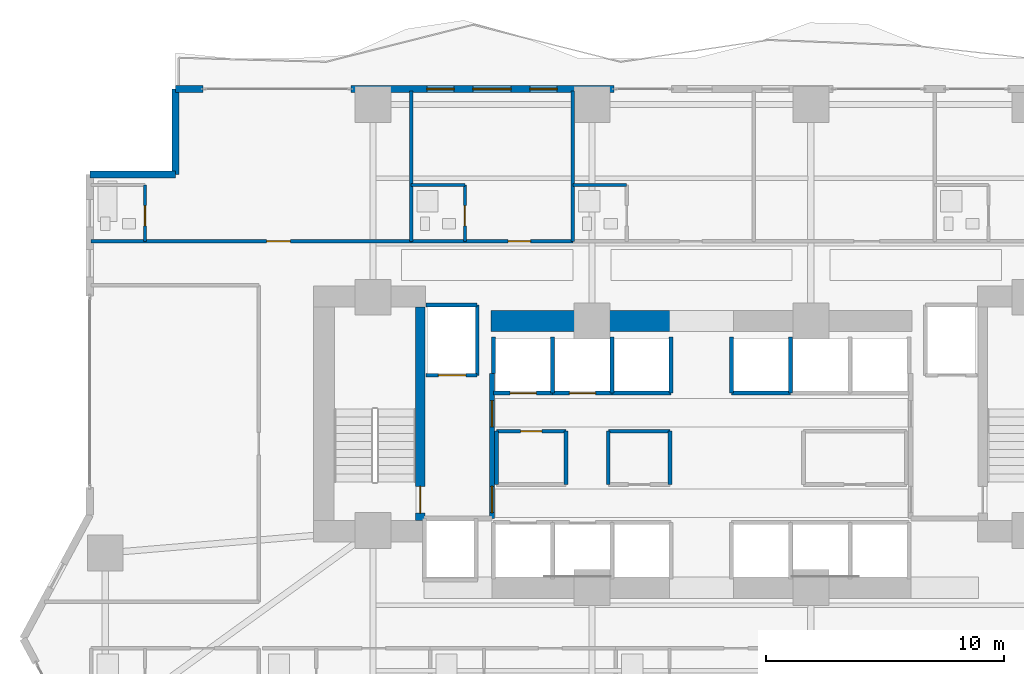
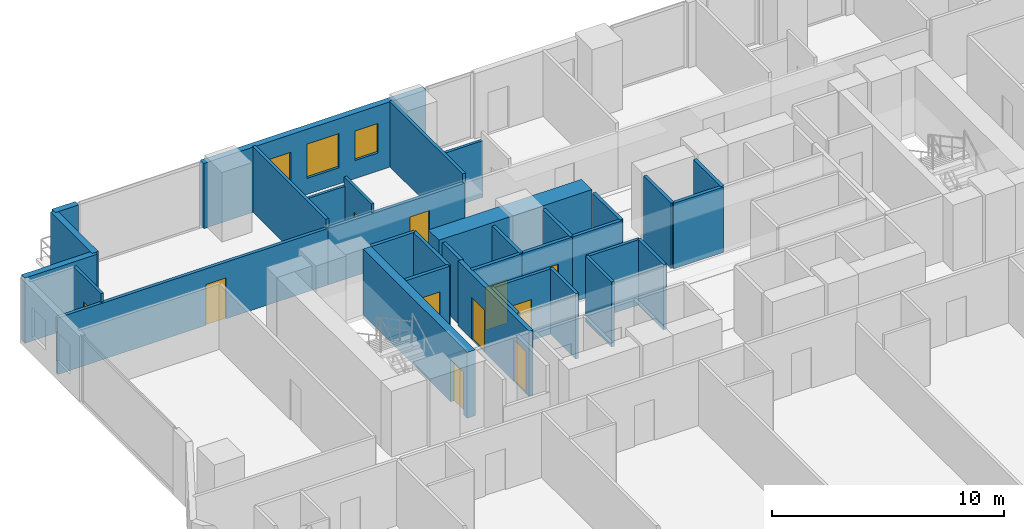
# One storey, part 21 of 28: 34 walls, 11 doors, 3 windows, 14 openings.
"""IFC4 building model written with IfcOpenShell, lengths in metres."""

from ifc_helpers import new_model, si_unit, direction, frame, frame_2d, origin, place, context, subcontext, project, spatial, rectangle, extrude, material, layer, layer_set, type_object, element, fill, save


model = new_model("IFC4")

# Units and contexts
model_context = context("Model", 3, precision=1e-05, world=origin(), true_north=direction((0.0, 1.0)))
body_context = subcontext(model_context, "Body", "Model", "MODEL_VIEW")
ifc_project = project(units=[si_unit("LENGTHUNIT", "METRE"), si_unit("AREAUNIT", "SQUARE_METRE"), si_unit("VOLUMEUNIT", "CUBIC_METRE"), si_unit("PLANEANGLEUNIT", "RADIAN"), si_unit("MASSUNIT", "GRAM", prefix="KILO")], contexts=[model_context])

# Site, building, storey
site_placement = place(None, origin())
site = spatial("IfcSite", under=ifc_project, at=site_placement, CompositionType="ELEMENT")
building_placement = place(site_placement, origin())
building = spatial("IfcBuilding", under=site, at=building_placement, Name="Zuhayl Quay Hotel", CompositionType="ELEMENT")
storey_placement = place(building_placement, frame((0.0, 0.0, 56.800048828125)))
storey = spatial("IfcBuildingStorey", under=building, at=storey_placement, Name="L13", CompositionType="ELEMENT", Elevation=56.800048828125)

# Walls
ifc_material_1 = material(Name="Concrete C70/85", Category="concrete")
ifc_layer_1 = layer(ifc_material_1, 0.89990234375, Name="Concrete C70/85", Category="concrete")
ifc_layer_set_1 = layer_set([ifc_layer_1], Name="Concrete C70/85")
wall_type_1 = type_object("IfcWallType", Name="WL_CORE_900", PredefinedType="SHEAR", material=ifc_layer_set_1)
wall_1_placement = place(storey_placement, frame((-8.85009765625, 13.35009765625, 0.0), z_axis=(0.0, 0.0, 1.0), x_axis=(1.0, 0.0, 0.0)))
element("IfcWall", 1, at=wall_1_placement, inside=storey, type_object=wall_type_1, Name="L13 Core Shear Wall CW_NC_W", PredefinedType="SHEAR", context=body_context, shape_type="SweptSolid", body=[
    extrude(rectangle(XDim=7.60009765625, YDim=0.89990234375, at=frame_2d((3.800048828125, 0.0))), origin(), (0.0, 0.0, 1.0), 3.429931640625),
])
ifc_material_2 = material(Name="Precast concrete C45/55", Category="concrete")
ifc_layer_2 = layer(ifc_material_2, 0.300048828125, Name="Precast concrete C45/55", Category="concrete")
ifc_layer_set_2 = layer_set([ifc_layer_2], Name="Precast concrete C45/55")
wall_type_2 = type_object("IfcWallType", Name="WL_EXT_300", PredefinedType="STANDARD", material=ifc_layer_set_2)
wall_2_placement = place(storey_placement, frame((-25.699951171875, 19.5, 0.0), z_axis=(0.0, 0.0, 1.0), x_axis=(1.0, 0.0, 0.0)))
element("IfcWall", 2, at=wall_2_placement, inside=storey, type_object=wall_type_2, Name="L13 Exterior Precast Wall ENV_L13_EW06", PredefinedType="STANDARD", context=body_context, shape_type="SweptSolid", body=[
    extrude(rectangle(XDim=3.599853515625, YDim=0.300048828125, at=frame_2d((1.7998046875, 0.0))), origin(), (0.0, 0.0, 1.0), 3.429931640625),
])
wall_3_placement = place(storey_placement, frame((-22.10009765625, 19.5, 0.0), z_axis=(0.0, 0.0, 1.0), x_axis=(0.0, 1.0, 0.0)))
element("IfcWall", 3, at=wall_3_placement, inside=storey, type_object=wall_type_2, Name="L13 Exterior Precast Wall ENV_L13_EW07", PredefinedType="STANDARD", context=body_context, shape_type="SweptSolid", body=[
    extrude(rectangle(XDim=3.60009765625, YDim=0.300048828125, at=frame_2d((1.800048828125, 0.0))), origin(), (0.0, 0.0, 1.0), 3.429931640625),
])
wall_4_placement = place(storey_placement, frame((-22.10009765625, 23.10009765625, 0.0), z_axis=(0.0, 0.0, 1.0), x_axis=(1.0, 0.0, 0.0)))
element("IfcWall", 4, at=wall_4_placement, inside=storey, type_object=wall_type_2, Name="L13 Exterior Precast Wall ENV_L13_N_EW1", PredefinedType="STANDARD", context=body_context, shape_type="SweptSolid", body=[
    extrude(rectangle(XDim=1.150146484375, YDim=0.300048828125, at=frame_2d((0.5751953125, 0.0))), origin(), (0.0, 0.0, 1.0), 3.429931640625),
])

# Wall, openings, windows
wall_5_placement = place(storey_placement, frame((-14.719970703125, 23.10009765625, 0.0), z_axis=(0.0, 0.0, 1.0), x_axis=(1.0, 0.0, 0.0)))
wall_5 = element("IfcWall", 5, at=wall_5_placement, inside=storey, type_object=wall_type_2, Name="L13 Exterior Precast Wall ENV_L13_N_EW2", PredefinedType="STANDARD", context=body_context, shape_type="SweptSolid", body=[
    extrude(rectangle(XDim=11.0400390625, YDim=0.300048828125, at=frame_2d((5.52001953125, 0.0))), origin(), (0.0, 0.0, 1.0), 3.429931640625),
])
opening_1_placement = place(wall_5_placement, frame((5.1201171875, 0.0, 0.85009765625)))
opening_1 = element("IfcOpeningElement", 6, at=opening_1_placement, cuts=wall_5, Name="Opening W01", PredefinedType="OPENING", context=body_context, shape_type="SweptSolid", body=[
    extrude(rectangle(XDim=1.60009765625, YDim=1.800048828125, at=frame_2d((0.800048828125, 0.89990234375))), frame((0.0, 0.159912109375, 0.0), z_axis=(0.0, -1.0, 0.0), x_axis=(1.0, 0.0, 0.0)), (0.0, 0.0, 1.0), 0.320068359375),
])
opening_2_placement = place(wall_5_placement, frame((3.179931640625, 0.0, 0.949951171875)))
opening_2 = element("IfcOpeningElement", 7, at=opening_2_placement, cuts=wall_5, Name="Opening W01N", PredefinedType="OPENING", context=body_context, shape_type="SweptSolid", body=[
    extrude(rectangle(XDim=1.14990234375, YDim=1.550048828125, at=frame_2d((0.574951171875, 0.77490234375))), frame((0.0, 0.159912109375, 0.0), z_axis=(0.0, -1.0, 0.0), x_axis=(1.0, 0.0, 0.0)), (0.0, 0.0, 1.0), 0.320068359375),
])
opening_3_placement = place(wall_5_placement, frame((7.510009765625, 0.0, 0.949951171875)))
opening_3 = element("IfcOpeningElement", 8, at=opening_3_placement, cuts=wall_5, Name="Opening W01N", PredefinedType="OPENING", context=body_context, shape_type="SweptSolid", body=[
    extrude(rectangle(XDim=1.14990234375, YDim=1.550048828125, at=frame_2d((0.574951171875, 0.77490234375))), frame((0.0, 0.159912109375, 0.0), z_axis=(0.0, -1.0, 0.0), x_axis=(1.0, 0.0, 0.0)), (0.0, 0.0, 1.0), 0.320068359375),
])
ifc_material_3 = material(Name="Dark Ceramic-Fritted Solar Glass", Category="glass")
window_type_1 = type_object("IfcWindowType", Name="WN_NOTCH_1350", PartitioningType="SINGLE_PANEL", PredefinedType="WINDOW", material=ifc_material_3)
window_1_placement = place(opening_2_placement, origin())
window_1 = element("IfcWindow", 9, at=window_1_placement, inside=storey, type_object=window_type_1, Name="L13 Operable Facade Window 2-1", OverallHeight=1.550048828125, OverallWidth=1.14990234375, PartitioningType="SINGLE_PANEL", PredefinedType="WINDOW", context=body_context, shape_type="SweptSolid", body=[
    extrude(rectangle(XDim=1.14990234375, YDim=1.550048828125, at=frame_2d((0.574951171875, 0.77490234375))), frame((0.0, 0.030029296875, 0.0), z_axis=(0.0, -1.0, 0.0), x_axis=(1.0, 0.0, 0.0)), (0.0, 0.0, 1.0), 0.06005859375),
])
fill(opening_2, window_1)
window_2_placement = place(opening_3_placement, origin())
window_2 = element("IfcWindow", 10, at=window_2_placement, inside=storey, type_object=window_type_1, Name="L13 Operable Facade Window 2-2", OverallHeight=1.550048828125, OverallWidth=1.14990234375, PartitioningType="SINGLE_PANEL", PredefinedType="WINDOW", context=body_context, shape_type="SweptSolid", body=[
    extrude(rectangle(XDim=1.14990234375, YDim=1.550048828125, at=frame_2d((0.574951171875, 0.77490234375))), frame((0.0, 0.030029296875, 0.0), z_axis=(0.0, -1.0, 0.0), x_axis=(1.0, 0.0, 0.0)), (0.0, 0.0, 1.0), 0.06005859375),
])
fill(opening_3, window_2)
window_type_2 = type_object("IfcWindowType", Name="WN_OPERABLE_1600", PartitioningType="DOUBLE_PANEL_VERTICAL", PredefinedType="WINDOW", material=ifc_material_3)
window_3_placement = place(opening_1_placement, origin())
window_3 = element("IfcWindow", 11, at=window_3_placement, inside=storey, type_object=window_type_2, Name="L13 North Operable Casement Window", OverallHeight=1.800048828125, OverallWidth=1.60009765625, PartitioningType="SINGLE_PANEL", PredefinedType="WINDOW", context=body_context, shape_type="SweptSolid", body=[
    extrude(rectangle(XDim=1.60009765625, YDim=1.800048828125, at=frame_2d((0.800048828125, 0.89990234375))), frame((0.0, 0.030029296875, 0.0), z_axis=(0.0, -1.0, 0.0), x_axis=(1.0, 0.0, 0.0)), (0.0, 0.0, 1.0), 0.06005859375),
])
fill(opening_1, window_3)

# Wall, opening, door
ifc_material_4 = material(Name="Acoustic Gypsum Partition STC-58")
ifc_layer_3 = layer(ifc_material_4, 0.14990234375, Name="Acoustic Gypsum Partition STC-58")
ifc_layer_set_3 = layer_set([ifc_layer_3], Name="Acoustic Gypsum Partition STC-58")
wall_type_3 = type_object("IfcWallType", Name="WL_PART_150", PredefinedType="PARTITIONING", material=ifc_layer_set_3)
wall_6_placement = place(storey_placement, frame((-8.610107421875, 8.719970703125, 0.0), z_axis=(0.0, 0.0, 1.0), x_axis=(1.0, 0.0, 0.0)))
wall_6 = element("IfcWall", 12, at=wall_6_placement, inside=storey, type_object=wall_type_3, Name="L13 Partition IW_L13_CORE_HK_N", PredefinedType="PARTITIONING", context=body_context, shape_type="SweptSolid", body=[
    extrude(rectangle(XDim=2.920166015625, YDim=0.14990234375, at=frame_2d((1.4599609375, 0.0))), origin(), (0.0, 0.0, 1.0), 3.429931640625),
])
opening_4_placement = place(wall_6_placement, frame((1.010009765625, 0.0, 0.0)))
opening_4 = element("IfcOpeningElement", 13, at=opening_4_placement, cuts=wall_6, Name="Opening D06", PredefinedType="OPENING", context=body_context, shape_type="SweptSolid", body=[
    extrude(rectangle(XDim=0.89990234375, YDim=2.14990234375, at=frame_2d((0.449951171875, 1.074951171875))), frame((0.0, 0.0849609375, 0.0), z_axis=(0.0, -1.0, 0.0), x_axis=(1.0, 0.0, 0.0)), (0.0, 0.0, 1.0), 0.169921875),
])
ifc_material_5 = material(Name="Steel ASTM A992 Grade 50", Category="steel")
door_type_1 = type_object("IfcDoorType", Name="DR_INT_900", OperationType="NOTDEFINED", PredefinedType="DOOR", material=ifc_material_5)
door_1_placement = place(opening_4_placement, origin())
door_1 = element("IfcDoor", 14, at=door_1_placement, inside=storey, type_object=door_type_1, Name="L13 Core Housekeeping Store Door", OperationType="SINGLE_SWING_LEFT", OverallHeight=2.14990234375, OverallWidth=0.89990234375, PredefinedType="DOOR", context=body_context, shape_type="SweptSolid", body=[
    extrude(rectangle(XDim=0.89990234375, YDim=2.14990234375, at=frame_2d((0.449951171875, 1.074951171875))), frame((0.0, 0.02490234375, 0.0), z_axis=(0.0, -1.0, 0.0), x_axis=(1.0, 0.0, 0.0)), (0.0, 0.0, 1.0), 0.050048828125),
])
fill(opening_4, door_1)

# Walls
for number, where, z_axis, x_axis, name in (
    (15, (-8.610107421875, 6.47998046875, 0.0), (0.0, 0.0, 1.0), (0.0, 1.0, 0.0), "L13 Partition IW_L13_CORE_HK_W"),
    (16, (-5.68994140625, 6.47998046875, 0.0), (0.0, 0.0, 1.0), (0.0, 1.0, 0.0), "L13 Partition IW_L13_CORE_HK_E"),
):
    element("IfcWall", number, at=place(storey_placement, frame(where, z_axis=z_axis, x_axis=x_axis)), inside=storey, type_object=wall_type_3, Name=name, PredefinedType="PARTITIONING", context=body_context, shape_type="SweptSolid", body=[
        extrude(rectangle(XDim=2.239990234375, YDim=0.14990234375, at=frame_2d((1.1201171875, 0.0))), origin(), (0.0, 0.0, 1.0), 3.429931640625),
    ])
wall_7_placement = place(storey_placement, frame((-3.909912109375, 8.719970703125, 0.0), z_axis=(0.0, 0.0, 1.0), x_axis=(1.0, 0.0, 0.0)))
element("IfcWall", 17, at=wall_7_placement, inside=storey, type_object=wall_type_3, Name="L13 Partition IW_L13_CORE_BC_N", PredefinedType="PARTITIONING", context=body_context, shape_type="SweptSolid", body=[
    extrude(rectangle(XDim=2.58984375, YDim=0.14990234375, at=frame_2d((1.294921875, 0.0))), origin(), (0.0, 0.0, 1.0), 3.429931640625),
])
for number, where, z_axis, x_axis, name in (
    (18, (-3.909912109375, 6.47998046875, 0.0), (0.0, 0.0, 1.0), (0.0, 1.0, 0.0), "L13 Partition IW_L13_CORE_BC_W"),
    (19, (-1.320068359375, 6.47998046875, 0.0), (0.0, 0.0, 1.0), (0.0, 1.0, 0.0), "L13 Partition IW_L13_CORE_BC_E"),
):
    element("IfcWall", number, at=place(storey_placement, frame(where, z_axis=z_axis, x_axis=x_axis)), inside=storey, type_object=wall_type_3, Name=name, PredefinedType="PARTITIONING", context=body_context, shape_type="SweptSolid", body=[
        extrude(rectangle(XDim=2.239990234375, YDim=0.14990234375, at=frame_2d((1.1201171875, 0.0))), origin(), (0.0, 0.0, 1.0), 3.429931640625),
    ])
for number, where, z_axis, x_axis, name in (
    (20, (-12.199951171875, 16.699951171875, 0.0), (0.0, 0.0, 1.0), (0.0, 1.0, 0.0), "L13 Partition IW_L13_NU01_E"),
    (21, (-5.39990234375, 16.699951171875, 0.0), (0.0, 0.0, 1.0), (0.0, 1.0, 0.0), "L13 Partition IW_L13_NU02_E"),
):
    element("IfcWall", number, at=place(storey_placement, frame(where, z_axis=z_axis, x_axis=x_axis)), inside=storey, type_object=wall_type_3, Name=name, PredefinedType="PARTITIONING", context=body_context, shape_type="SweptSolid", body=[
        extrude(rectangle(XDim=6.320068359375, YDim=0.14990234375, at=frame_2d((3.16015625, 0.0))), origin(), (0.0, 0.0, 1.0), 3.429931640625),
    ])

# Wall, opening, door
ifc_layer_4 = layer(ifc_material_4, 0.159912109375, Name="Acoustic Gypsum Partition STC-58")
ifc_layer_set_4 = layer_set([ifc_layer_4], Name="Acoustic Gypsum Partition STC-58")
wall_type_4 = type_object("IfcWallType", Name="WL_PART_CORR_160", PredefinedType="PARTITIONING", material=ifc_layer_set_4)
wall_8_placement = place(storey_placement, frame((-25.639892578125, 16.699951171875, 0.0), z_axis=(0.0, 0.0, 1.0), x_axis=(1.0, 0.0, 0.0)))
wall_8 = element("IfcWall", 22, at=wall_8_placement, inside=storey, type_object=wall_type_4, Name="L13 Partition IW_L13_NU01_COR", PredefinedType="PARTITIONING", context=body_context, shape_type="SweptSolid", body=[
    extrude(rectangle(XDim=13.43994140625, YDim=0.159912109375, at=frame_2d((6.719970703125, 0.0))), origin(), (0.0, 0.0, 1.0), 2.972900390625),
])
opening_5_placement = place(wall_8_placement, frame((7.3701171875, 0.0, 0.0)))
opening_5 = element("IfcOpeningElement", 23, at=opening_5_placement, cuts=wall_8, Name="Opening D03L", PredefinedType="OPENING", context=body_context, shape_type="SweptSolid", body=[
    extrude(rectangle(XDim=1.0, YDim=2.14990234375, at=frame_2d((0.5, 1.074951171875))), frame((0.0, 0.08984375, 0.0), z_axis=(0.0, -1.0, 0.0), x_axis=(1.0, 0.0, 0.0)), (0.0, 0.0, 1.0), 0.179931640625),
])
ifc_material_6 = material(Name="Solid Walnut Acoustic Fire Door")
door_type_2 = type_object("IfcDoorType", Name="DR_SUITE_1000", OperationType="NOTDEFINED", PredefinedType="DOOR", material=ifc_material_6)
door_2_placement = place(opening_5_placement, origin())
door_2 = element("IfcDoor", 24, at=door_2_placement, inside=storey, type_object=door_type_2, Name="L13 Deluxe Gulf Guest Room L13-01 Entrance Door", OperationType="SINGLE_SWING_LEFT", OverallHeight=2.14990234375, OverallWidth=1.0, PredefinedType="DOOR", context=body_context, shape_type="SweptSolid", body=[
    extrude(rectangle(XDim=1.0, YDim=2.14990234375, at=frame_2d((0.5, 1.074951171875))), frame((0.0, 0.02490234375, 0.0), z_axis=(0.0, -1.0, 0.0), x_axis=(1.0, 0.0, 0.0)), (0.0, 0.0, 1.0), 0.050048828125),
])
fill(opening_5, door_2)

wall_9_placement = place(storey_placement, frame((-12.199951171875, 16.699951171875, 0.0), z_axis=(0.0, 0.0, 1.0), x_axis=(1.0, 0.0, 0.0)))
wall_9 = element("IfcWall", 25, at=wall_9_placement, inside=storey, type_object=wall_type_4, Name="L13 Partition IW_L13_NU02_COR", PredefinedType="PARTITIONING", context=body_context, shape_type="SweptSolid", body=[
    extrude(rectangle(XDim=6.800048828125, YDim=0.159912109375, at=frame_2d((3.39990234375, 0.0))), origin(), (0.0, 0.0, 1.0), 2.972900390625),
])
opening_6_placement = place(wall_9_placement, frame((4.074951171875, 0.0, 0.0)))
opening_6 = element("IfcOpeningElement", 26, at=opening_6_placement, cuts=wall_9, Name="Opening D03", PredefinedType="OPENING", context=body_context, shape_type="SweptSolid", body=[
    extrude(rectangle(XDim=0.949951171875, YDim=2.14990234375, at=frame_2d((0.47509765625, 1.074951171875))), frame((0.0, 0.08984375, 0.0), z_axis=(0.0, -1.0, 0.0), x_axis=(1.0, 0.0, 0.0)), (0.0, 0.0, 1.0), 0.179931640625),
])
door_type_3 = type_object("IfcDoorType", Name="DR_SUITE_950", OperationType="NOTDEFINED", PredefinedType="DOOR", material=ifc_material_6)
door_3_placement = place(opening_6_placement, origin())
door_3 = element("IfcDoor", 27, at=door_3_placement, inside=storey, type_object=door_type_3, Name="L13 Deluxe Gulf Guest Room L13-02 Entrance Door", OperationType="SINGLE_SWING_LEFT", OverallHeight=2.14990234375, OverallWidth=0.949951171875, PredefinedType="DOOR", context=body_context, shape_type="SweptSolid", body=[
    extrude(rectangle(XDim=0.949951171875, YDim=2.14990234375, at=frame_2d((0.47509765625, 1.074951171875))), frame((0.0, 0.02490234375, 0.0), z_axis=(0.0, -1.0, 0.0), x_axis=(1.0, 0.0, 0.0)), (0.0, 0.0, 1.0), 0.050048828125),
])
fill(opening_6, door_3)

ifc_material_7 = material(Name="Moisture-Resistant Sanitarychase Gypsum")
ifc_layer_5 = layer(ifc_material_7, 0.135009765625, Name="Moisture-Resistant Sanitarychase Gypsum")
ifc_layer_set_5 = layer_set([ifc_layer_5], Name="Moisture-Resistant Sanitarychase Gypsum")
wall_type_5 = type_object("IfcWallType", Name="WL_PART_PLUMB_150", PredefinedType="PLUMBINGWALL", material=ifc_layer_set_5)
wall_10_placement = place(storey_placement, frame((-23.3798828125, 16.699951171875, 0.0), z_axis=(0.0, 0.0, 1.0), x_axis=(0.0, 1.0, 0.0)))
wall_10 = element("IfcWall", 28, at=wall_10_placement, inside=storey, type_object=wall_type_5, Name="L13 Partition IW_L13_NU01_BE", PredefinedType="PLUMBINGWALL", context=body_context, shape_type="SweptSolid", body=[
    extrude(rectangle(XDim=2.360107421875, YDim=0.135009765625, at=frame_2d((1.18017578125, 0.0))), origin(), (0.0, 0.0, 1.0), 3.429931640625),
])
opening_7_placement = place(wall_10_placement, frame((0.64990234375, 0.0, 0.0)))
opening_7 = element("IfcOpeningElement", 29, at=opening_7_placement, cuts=wall_10, Name="Opening D04", PredefinedType="OPENING", context=body_context, shape_type="SweptSolid", body=[
    extrude(rectangle(XDim=0.85009765625, YDim=2.10009765625, at=frame_2d((0.425048828125, 1.050048828125))), frame((0.0, 0.077392578125, 0.0), z_axis=(0.0, -1.0, 0.0), x_axis=(1.0, 0.0, 0.0)), (0.0, 0.0, 1.0), 0.155029296875),
])
ifc_material_8 = material(Name="Moisture-Resistant Walnut Veneer")
door_type_4 = type_object("IfcDoorType", Name="DR_BATH_850", OperationType="NOTDEFINED", PredefinedType="DOOR", material=ifc_material_8)
door_4_placement = place(opening_7_placement, origin())
door_4 = element("IfcDoor", 30, at=door_4_placement, inside=storey, type_object=door_type_4, Name="L13 Deluxe Gulf Guest Room L13-01 En-Suite Door", OperationType="SINGLE_SWING_RIGHT", OverallHeight=2.10009765625, OverallWidth=0.85009765625, PredefinedType="DOOR", context=body_context, shape_type="SweptSolid", body=[
    extrude(rectangle(XDim=0.85009765625, YDim=2.10009765625, at=frame_2d((0.425048828125, 1.050048828125))), frame((0.0, 0.02490234375, 0.0), z_axis=(0.0, -1.0, 0.0), x_axis=(1.0, 0.0, 0.0)), (0.0, 0.0, 1.0), 0.050048828125),
])
fill(opening_7, door_4)

wall_11_placement = place(storey_placement, frame((-9.93994140625, 16.699951171875, 0.0), z_axis=(0.0, 0.0, 1.0), x_axis=(0.0, 1.0, 0.0)))
wall_11 = element("IfcWall", 31, at=wall_11_placement, inside=storey, type_object=wall_type_5, Name="L13 Partition IW_L13_NU02_BE", PredefinedType="PLUMBINGWALL", context=body_context, shape_type="SweptSolid", body=[
    extrude(rectangle(XDim=2.360107421875, YDim=0.135009765625, at=frame_2d((1.18017578125, 0.0))), origin(), (0.0, 0.0, 1.0), 3.429931640625),
])
opening_8_placement = place(wall_11_placement, frame((0.64990234375, 0.0, 0.0)))
opening_8 = element("IfcOpeningElement", 32, at=opening_8_placement, cuts=wall_11, Name="Opening D04", PredefinedType="OPENING", context=body_context, shape_type="SweptSolid", body=[
    extrude(rectangle(XDim=0.85009765625, YDim=2.10009765625, at=frame_2d((0.425048828125, 1.050048828125))), frame((0.0, 0.077392578125, 0.0), z_axis=(0.0, -1.0, 0.0), x_axis=(1.0, 0.0, 0.0)), (0.0, 0.0, 1.0), 0.155029296875),
])
door_5_placement = place(opening_8_placement, origin())
door_5 = element("IfcDoor", 33, at=door_5_placement, inside=storey, type_object=door_type_4, Name="L13 Deluxe Gulf Guest Room L13-02 En-Suite Door", OperationType="SINGLE_SWING_RIGHT", OverallHeight=2.10009765625, OverallWidth=0.85009765625, PredefinedType="DOOR", context=body_context, shape_type="SweptSolid", body=[
    extrude(rectangle(XDim=0.85009765625, YDim=2.10009765625, at=frame_2d((0.425048828125, 1.050048828125))), frame((0.0, 0.02490234375, 0.0), z_axis=(0.0, -1.0, 0.0), x_axis=(1.0, 0.0, 0.0)), (0.0, 0.0, 1.0), 0.050048828125),
])
fill(opening_8, door_5)

# Walls
for number, where, z_axis, x_axis, name in (
    (34, (-12.199951171875, 19.06005859375, 0.0), (0.0, 0.0, 1.0), (1.0, 0.0, 0.0), "L13 Partition IW_L13_NU02_BN"),
    (35, (-5.39990234375, 19.06005859375, 0.0), (0.0, 0.0, 1.0), (1.0, 0.0, 0.0), "L13 Partition IW_L13_NU03_BN"),
):
    element("IfcWall", number, at=place(storey_placement, frame(where, z_axis=z_axis, x_axis=x_axis)), inside=storey, type_object=wall_type_5, Name=name, PredefinedType="PLUMBINGWALL", context=body_context, shape_type="SweptSolid", body=[
        extrude(rectangle(XDim=2.260009765625, YDim=0.135009765625, at=frame_2d((1.1298828125, 0.0))), origin(), (0.0, 0.0, 1.0), 2.972900390625),
    ])

# Wall, opening, door
ifc_material_9 = material(Name="Gypsum Fireboard Assembly EI-90")
ifc_layer_6 = layer(ifc_material_9, 0.1650390625, Name="Gypsum Fireboard Assembly EI-90")
ifc_layer_set_6 = layer_set([ifc_layer_6], Name="Gypsum Fireboard Assembly EI-90")
wall_type_6 = type_object("IfcWallType", Name="WL_PART_SHAFT_160", PredefinedType="PARTITIONING", material=ifc_layer_set_6)
wall_12_placement = place(storey_placement, frame((-11.580078125, 11.070068359375, 0.0), z_axis=(0.0, 0.0, 1.0), x_axis=(1.0, 0.0, 0.0)))
wall_12 = element("IfcWall", 36, at=wall_12_placement, inside=storey, type_object=wall_type_6, Name="L13 Partition IW_L13_SH_FL1_F", PredefinedType="PARTITIONING", context=body_context, shape_type="SweptSolid", body=[
    extrude(rectangle(XDim=2.16015625, YDim=0.1650390625, at=frame_2d((1.080078125, 0.0))), origin(), (0.0, 0.0, 1.0), 3.429931640625),
])
opening_9_placement = place(wall_12_placement, frame((0.530029296875, 0.0, 0.0)))
opening_9 = element("IfcOpeningElement", 37, at=opening_9_placement, cuts=wall_12, Name="Opening LD2", PredefinedType="OPENING", context=body_context, shape_type="SweptSolid", body=[
    extrude(rectangle(XDim=1.14990234375, YDim=2.25, at=frame_2d((0.574951171875, 1.125))), frame((0.0, 0.092529296875, 0.0), z_axis=(0.0, -1.0, 0.0), x_axis=(1.0, 0.0, 0.0)), (0.0, 0.0, 1.0), 0.18505859375),
])
ifc_material_10 = material(Name="Brushed Stainless Steel", Category="steel")
door_type_5 = type_object("IfcDoorType", Name="DR_LIFT_FF_1100", OperationType="SLIDING_TO_LEFT", PredefinedType="DOOR", material=ifc_material_10)
door_6_placement = place(opening_9_placement, origin())
door_6 = element("IfcDoor", 38, at=door_6_placement, inside=storey, type_object=door_type_5, Name="L13 Lift FL1 Sliding Landing Door", OperationType="SLIDING_TO_LEFT", OverallHeight=2.25, OverallWidth=1.14990234375, PredefinedType="DOOR", context=body_context, shape_type="SweptSolid", body=[
    extrude(rectangle(XDim=1.14990234375, YDim=2.25, at=frame_2d((0.574951171875, 1.125))), frame((0.0, 0.02490234375, 0.0), z_axis=(0.0, -1.0, 0.0), x_axis=(1.0, 0.0, 0.0)), (0.0, 0.0, 1.0), 0.050048828125),
])
fill(opening_9, door_6)

wall_13_placement = place(storey_placement, frame((-8.72998046875, 10.320068359375, 0.0), z_axis=(0.0, 0.0, 1.0), x_axis=(1.0, 0.0, 0.0)))
wall_13 = element("IfcWall", 39, at=wall_13_placement, inside=storey, type_object=wall_type_6, Name="L13 Partition IW_L13_SH_LP3_F", PredefinedType="PARTITIONING", context=body_context, shape_type="SweptSolid", body=[
    extrude(rectangle(XDim=2.47998046875, YDim=0.1650390625, at=frame_2d((1.239990234375, 0.0))), origin(), (0.0, 0.0, 1.0), 3.429931640625),
])
opening_10_placement = place(wall_13_placement, frame((0.68994140625, 0.0, 0.0)))
opening_10 = element("IfcOpeningElement", 40, at=opening_10_placement, cuts=wall_13, Name="Opening LD1", PredefinedType="OPENING", context=body_context, shape_type="SweptSolid", body=[
    extrude(rectangle(XDim=1.10009765625, YDim=2.25, at=frame_2d((0.550048828125, 1.125))), frame((0.0, 0.092529296875, 0.0), z_axis=(0.0, -1.0, 0.0), x_axis=(1.0, 0.0, 0.0)), (0.0, 0.0, 1.0), 0.18505859375),
])
door_type_6 = type_object("IfcDoorType", Name="DR_LIFT_PASS_1100", OperationType="SLIDING_TO_LEFT", PredefinedType="DOOR", material=ifc_material_10)
door_7_placement = place(opening_10_placement, origin())
door_7 = element("IfcDoor", 41, at=door_7_placement, inside=storey, type_object=door_type_6, Name="L13 Lift LP3 Sliding Landing Door", OperationType="SLIDING_TO_LEFT", OverallHeight=2.25, OverallWidth=1.10009765625, PredefinedType="DOOR", context=body_context, shape_type="SweptSolid", body=[
    extrude(rectangle(XDim=1.10009765625, YDim=2.25, at=frame_2d((0.550048828125, 1.125))), frame((0.0, 0.02490234375, 0.0), z_axis=(0.0, -1.0, 0.0), x_axis=(1.0, 0.0, 0.0)), (0.0, 0.0, 1.0), 0.050048828125),
])
fill(opening_10, door_7)

wall_14_placement = place(storey_placement, frame((-6.25, 10.320068359375, 0.0), z_axis=(0.0, 0.0, 1.0), x_axis=(1.0, 0.0, 0.0)))
wall_14 = element("IfcWall", 42, at=wall_14_placement, inside=storey, type_object=wall_type_6, Name="L13 Partition IW_L13_SH_LP4_F", PredefinedType="PARTITIONING", context=body_context, shape_type="SweptSolid", body=[
    extrude(rectangle(XDim=2.5, YDim=0.1650390625, at=frame_2d((1.25, 0.0))), origin(), (0.0, 0.0, 1.0), 3.429931640625),
])
opening_11_placement = place(wall_14_placement, frame((0.699951171875, 0.0, 0.0)))
opening_11 = element("IfcOpeningElement", 43, at=opening_11_placement, cuts=wall_14, Name="Opening LD1", PredefinedType="OPENING", context=body_context, shape_type="SweptSolid", body=[
    extrude(rectangle(XDim=1.10009765625, YDim=2.25, at=frame_2d((0.550048828125, 1.125))), frame((0.0, 0.092529296875, 0.0), z_axis=(0.0, -1.0, 0.0), x_axis=(1.0, 0.0, 0.0)), (0.0, 0.0, 1.0), 0.18505859375),
])
door_8_placement = place(opening_11_placement, origin())
door_8 = element("IfcDoor", 44, at=door_8_placement, inside=storey, type_object=door_type_6, Name="L13 Lift LP4 Sliding Landing Door", OperationType="SLIDING_TO_LEFT", OverallHeight=2.25, OverallWidth=1.10009765625, PredefinedType="DOOR", context=body_context, shape_type="SweptSolid", body=[
    extrude(rectangle(XDim=1.10009765625, YDim=2.25, at=frame_2d((0.550048828125, 1.125))), frame((0.0, 0.02490234375, 0.0), z_axis=(0.0, -1.0, 0.0), x_axis=(1.0, 0.0, 0.0)), (0.0, 0.0, 1.0), 0.050048828125),
])
fill(opening_11, door_8)

# Walls
wall_15_placement = place(storey_placement, frame((-9.419921875, 11.070068359375, 0.0), z_axis=(0.0, 0.0, 1.0), x_axis=(0.0, 1.0, 0.0)))
element("IfcWall", 45, at=wall_15_placement, inside=storey, type_object=wall_type_6, Name="L13 Partition IW_L13_SH_FL1_E", PredefinedType="PARTITIONING", context=body_context, shape_type="SweptSolid", body=[
    extrude(rectangle(XDim=2.9599609375, YDim=0.1650390625, at=frame_2d((1.47998046875, 0.0))), origin(), (0.0, 0.0, 1.0), 3.429931640625),
])
wall_16_placement = place(storey_placement, frame((-11.580078125, 14.030029296875, 0.0), z_axis=(0.0, 0.0, 1.0), x_axis=(1.0, 0.0, 0.0)))
element("IfcWall", 46, at=wall_16_placement, inside=storey, type_object=wall_type_6, Name="L13 Partition IW_L13_SH_FL1_B", PredefinedType="PARTITIONING", context=body_context, shape_type="SweptSolid", body=[
    extrude(rectangle(XDim=2.16015625, YDim=0.1650390625, at=frame_2d((1.080078125, 0.0))), origin(), (0.0, 0.0, 1.0), 3.429931640625),
])
wall_17_placement = place(storey_placement, frame((-8.72998046875, 11.14990234375, 0.0), z_axis=(0.0, 0.0, 1.0), x_axis=(0.0, 1.0, 0.0)))
element("IfcWall", 47, at=wall_17_placement, inside=storey, type_object=wall_type_6, Name="L13 Partition IW_L13_SH_LP3_W", PredefinedType="PARTITIONING", context=body_context, shape_type="SweptSolid", body=[
    extrude(rectangle(XDim=1.530029296875, YDim=0.1650390625, at=frame_2d((0.76513671875, 0.0))), origin(), (0.0, 0.0, 1.0), 3.429931640625),
])
for number, where, z_axis, x_axis, name in (
    (48, (-6.25, 10.320068359375, 0.0), (0.0, 0.0, 1.0), (0.0, 1.0, 0.0), "L13 Partition IW_L13_SH_LP3_E"),
    (49, (-3.75, 10.320068359375, 0.0), (0.0, 0.0, 1.0), (0.0, 1.0, 0.0), "L13 Partition IW_L13_SH_LP4_E"),
):
    element("IfcWall", number, at=place(storey_placement, frame(where, z_axis=z_axis, x_axis=x_axis)), inside=storey, type_object=wall_type_6, Name=name, PredefinedType="PARTITIONING", context=body_context, shape_type="SweptSolid", body=[
        extrude(rectangle(XDim=2.35986328125, YDim=0.1650390625, at=frame_2d((1.179931640625, 0.0))), origin(), (0.0, 0.0, 1.0), 3.429931640625),
    ])
wall_18_placement = place(storey_placement, frame((-3.75, 10.320068359375, 0.0), z_axis=(0.0, 0.0, 1.0), x_axis=(1.0, 0.0, 0.0)))
element("IfcWall", 50, at=wall_18_placement, inside=storey, type_object=wall_type_6, Name="L13 Partition IW_L13_SH_MP3_F", PredefinedType="PARTITIONING", context=body_context, shape_type="SweptSolid", body=[
    extrude(rectangle(XDim=2.47998046875, YDim=0.1650390625, at=frame_2d((1.239990234375, 0.0))), origin(), (0.0, 0.0, 1.0), 3.429931640625),
])
wall_19_placement = place(storey_placement, frame((-1.27001953125, 10.320068359375, 0.0), z_axis=(0.0, 0.0, 1.0), x_axis=(0.0, 1.0, 0.0)))
element("IfcWall", 51, at=wall_19_placement, inside=storey, type_object=wall_type_6, Name="L13 Partition IW_L13_SH_MP3_E", PredefinedType="PARTITIONING", context=body_context, shape_type="SweptSolid", body=[
    extrude(rectangle(XDim=2.35986328125, YDim=0.1650390625, at=frame_2d((1.179931640625, 0.0))), origin(), (0.0, 0.0, 1.0), 3.429931640625),
])
wall_20_placement = place(storey_placement, frame((1.27001953125, 10.320068359375, 0.0), z_axis=(0.0, 0.0, 1.0), x_axis=(1.0, 0.0, 0.0)))
element("IfcWall", 52, at=wall_20_placement, inside=storey, type_object=wall_type_6, Name="L13 Partition IW_L13_SH_MP4_F", PredefinedType="PARTITIONING", context=body_context, shape_type="SweptSolid", body=[
    extrude(rectangle(XDim=2.47998046875, YDim=0.1650390625, at=frame_2d((1.239990234375, 0.0))), origin(), (0.0, 0.0, 1.0), 3.429931640625),
])
for number, where, z_axis, x_axis, name in (
    (53, (1.27001953125, 10.320068359375, 0.0), (0.0, 0.0, 1.0), (0.0, 1.0, 0.0), "L13 Partition IW_L13_SH_MP4_W"),
    (54, (3.75, 10.320068359375, 0.0), (0.0, 0.0, 1.0), (0.0, 1.0, 0.0), "L13 Partition IW_L13_SH_MP4_E"),
):
    element("IfcWall", number, at=place(storey_placement, frame(where, z_axis=z_axis, x_axis=x_axis)), inside=storey, type_object=wall_type_6, Name=name, PredefinedType="PARTITIONING", context=body_context, shape_type="SweptSolid", body=[
        extrude(rectangle(XDim=2.35986328125, YDim=0.1650390625, at=frame_2d((1.179931640625, 0.0))), origin(), (0.0, 0.0, 1.0), 3.429931640625),
    ])

# Wall, openings, doors
ifc_material_11 = material(Name="Gypsum Fireboard Assembly EI-120")
ifc_layer_7 = layer(ifc_material_11, 0.199951171875, Name="Gypsum Fireboard Assembly EI-120")
ifc_layer_set_7 = layer_set([ifc_layer_7], Name="Gypsum Fireboard Assembly EI-120")
wall_type_7 = type_object("IfcWallType", Name="WL_PART_SHAFT_200", PredefinedType="PARTITIONING", material=ifc_layer_set_7)
wall_21_placement = place(storey_placement, frame((-8.800048828125, 5.050048828125, 0.0), z_axis=(0.0, 0.0, 1.0), x_axis=(0.0, 1.0, 0.0)))
wall_21 = element("IfcWall", 55, at=wall_21_placement, inside=storey, type_object=wall_type_7, Name="L13 Partition IW_L13_FSAE_W_E", PredefinedType="PARTITIONING", context=body_context, shape_type="SweptSolid", body=[
    extrude(rectangle(XDim=6.099853515625, YDim=0.199951171875, at=frame_2d((3.0498046875, 0.0))), origin(), (0.0, 0.0, 1.0), 3.429931640625),
])
opening_12_placement = place(wall_21_placement, frame((0.25, 0.0, 0.0)))
opening_12 = element("IfcOpeningElement", 56, at=opening_12_placement, cuts=wall_21, Name="Opening D02", PredefinedType="OPENING", context=body_context, shape_type="SweptSolid", body=[
    extrude(rectangle(XDim=1.10009765625, YDim=2.199951171875, at=frame_2d((0.550048828125, 1.10009765625))), frame((0.0, 0.10986328125, 0.0), z_axis=(0.0, -1.0, 0.0), x_axis=(1.0, 0.0, 0.0)), (0.0, 0.0, 1.0), 0.219970703125),
])
opening_13_placement = place(wall_21_placement, frame((3.85009765625, 0.0, 0.0)))
opening_13 = element("IfcOpeningElement", 57, at=opening_13_placement, cuts=wall_21, Name="Opening D02", PredefinedType="OPENING", context=body_context, shape_type="SweptSolid", body=[
    extrude(rectangle(XDim=1.10009765625, YDim=2.199951171875, at=frame_2d((0.550048828125, 1.10009765625))), frame((0.0, 0.10986328125, 0.0), z_axis=(0.0, -1.0, 0.0), x_axis=(1.0, 0.0, 0.0)), (0.0, 0.0, 1.0), 0.219970703125),
])
door_type_7 = type_object("IfcDoorType", Name="DR_FIRE_90_1100", OperationType="NOTDEFINED", PredefinedType="DOOR", material=ifc_material_5)
door_9_placement = place(opening_12_placement, origin())
door_9 = element("IfcDoor", 58, at=door_9_placement, inside=storey, type_object=door_type_7, Name="L13 FSAE Lobby West South Entry Door", OperationType="SINGLE_SWING_LEFT", OverallHeight=2.199951171875, OverallWidth=1.10009765625, PredefinedType="DOOR", context=body_context, shape_type="SweptSolid", body=[
    extrude(rectangle(XDim=1.10009765625, YDim=2.199951171875, at=frame_2d((0.550048828125, 1.10009765625))), frame((0.0, 0.02490234375, 0.0), z_axis=(0.0, -1.0, 0.0), x_axis=(1.0, 0.0, 0.0)), (0.0, 0.0, 1.0), 0.050048828125),
])
fill(opening_12, door_9)
door_10_placement = place(opening_13_placement, origin())
door_10 = element("IfcDoor", 59, at=door_10_placement, inside=storey, type_object=door_type_7, Name="L13 FSAE Lobby West North Entry Door", OperationType="SINGLE_SWING_RIGHT", OverallHeight=2.199951171875, OverallWidth=1.10009765625, PredefinedType="DOOR", context=body_context, shape_type="SweptSolid", body=[
    extrude(rectangle(XDim=1.10009765625, YDim=2.199951171875, at=frame_2d((0.550048828125, 1.10009765625))), frame((0.0, 0.02490234375, 0.0), z_axis=(0.0, -1.0, 0.0), x_axis=(1.0, 0.0, 0.0)), (0.0, 0.0, 1.0), 0.050048828125),
])
fill(opening_13, door_10)

# Wall, opening, door
ifc_material_12 = material(Name="Concrete C60/75", Category="concrete")
ifc_layer_8 = layer(ifc_material_12, 0.39990234375, Name="Concrete C60/75", Category="concrete")
ifc_layer_set_8 = layer_set([ifc_layer_8], Name="Concrete C60/75")
wall_type_8 = type_object("IfcWallType", Name="WL_STAIR_400", PredefinedType="SHEAR", material=ifc_layer_set_8)
wall_22_placement = place(storey_placement, frame((-11.820068359375, 4.969970703125, 0.0), z_axis=(0.0, 0.0, 1.0), x_axis=(0.0, 1.0, 0.0)))
wall_22 = element("IfcWall", 60, at=wall_22_placement, inside=storey, type_object=wall_type_8, Name="L13 Core Shear Wall SW_ST1", PredefinedType="SHEAR", context=body_context, shape_type="SweptSolid", body=[
    extrude(rectangle(XDim=8.9599609375, YDim=0.39990234375, at=frame_2d((4.47998046875, 0.0))), origin(), (0.0, 0.0, 1.0), 3.4599609375),
])
opening_14_placement = place(wall_22_placement, frame((0.31005859375, 0.0, 0.0)))
opening_14 = element("IfcOpeningElement", 61, at=opening_14_placement, cuts=wall_22, Name="Opening D01", PredefinedType="OPENING", context=body_context, shape_type="SweptSolid", body=[
    extrude(rectangle(XDim=1.1201171875, YDim=2.219970703125, at=frame_2d((0.56005859375, 1.10986328125))), frame((0.0, 0.2099609375, 0.0), z_axis=(0.0, -1.0, 0.0), x_axis=(1.0, 0.0, 0.0)), (0.0, 0.0, 1.0), 0.419921875),
])
door_type_8 = type_object("IfcDoorType", Name="DR_STAIR_90_1100", OperationType="NOTDEFINED", PredefinedType="DOOR", material=ifc_material_5)
door_11_placement = place(opening_14_placement, origin())
door_11 = element("IfcDoor", 62, at=door_11_placement, inside=storey, type_object=door_type_8, Name="L13 Smokeproof Exit Stair ST1 Door", OperationType="SINGLE_SWING_LEFT", OverallHeight=2.219970703125, OverallWidth=1.1201171875, PredefinedType="DOOR", context=body_context, shape_type="SweptSolid", body=[
    extrude(rectangle(XDim=1.1201171875, YDim=2.219970703125, at=frame_2d((0.56005859375, 1.10986328125))), frame((0.0, 0.02490234375, 0.0), z_axis=(0.0, -1.0, 0.0), x_axis=(1.0, 0.0, 0.0)), (0.0, 0.0, 1.0), 0.050048828125),
])
fill(opening_14, door_11)

save(model, "model.ifc")
